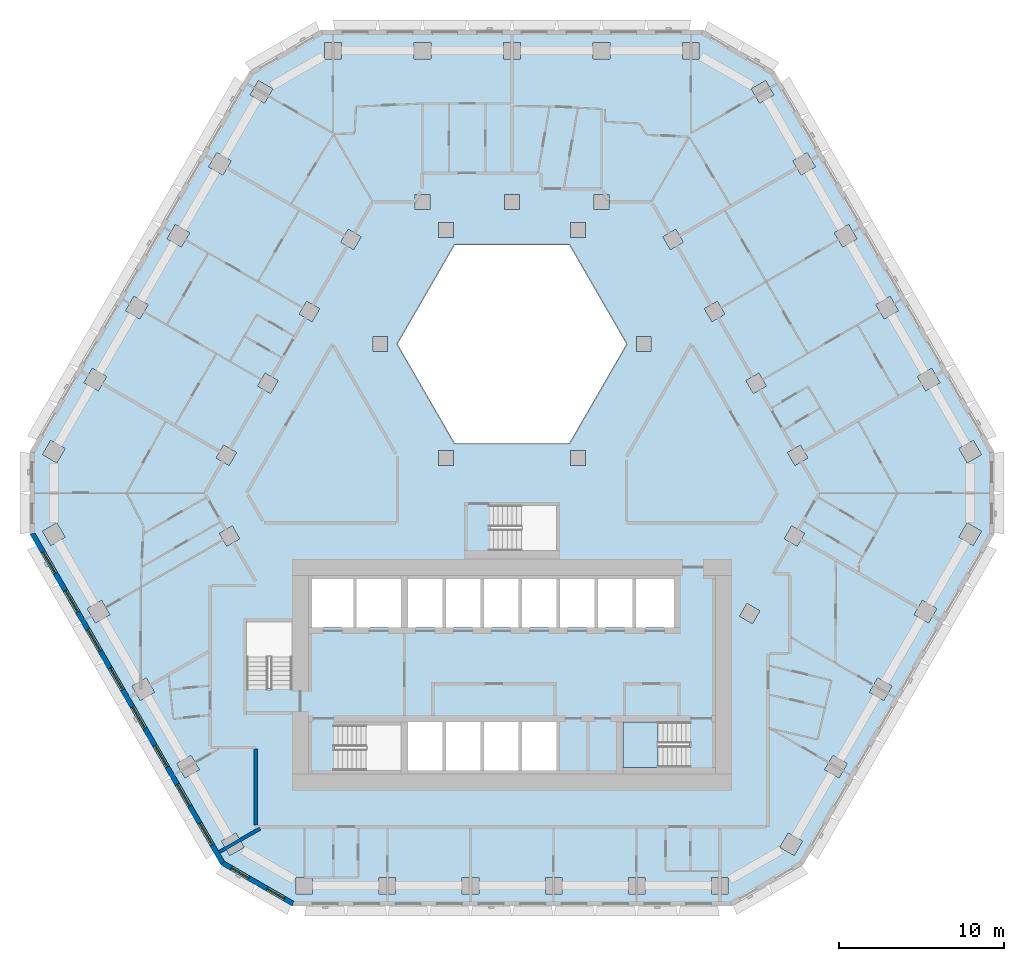
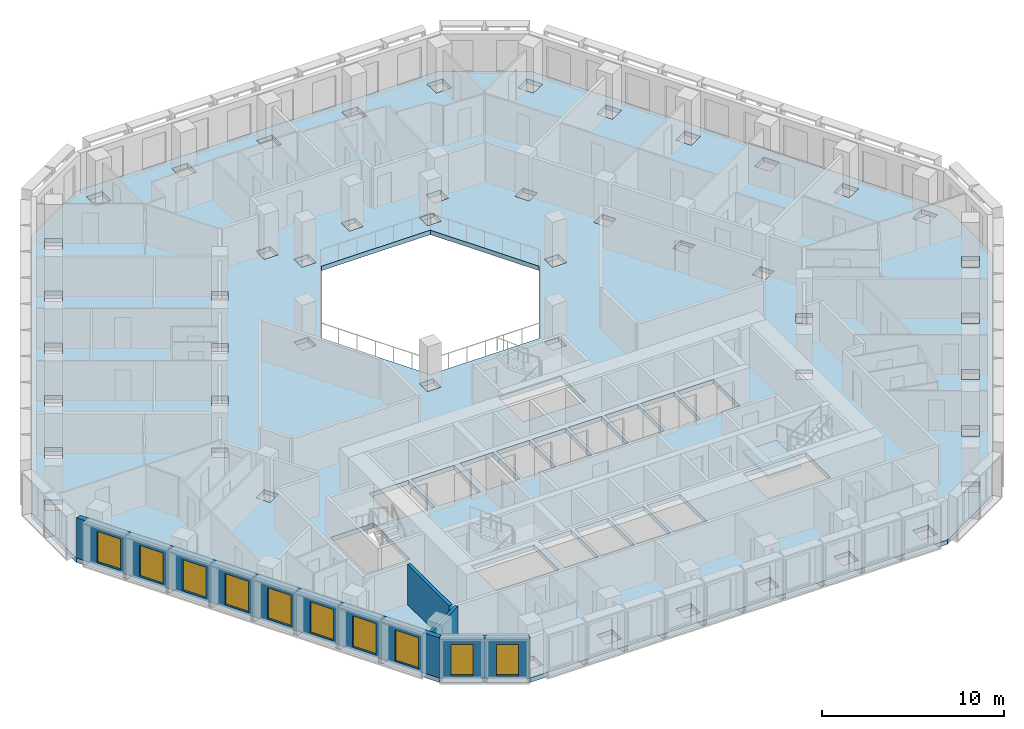
# One storey, part 2 of 18: 10 windows, 4 walls, 2 slabs, 10 openings, 1 element without a shape of its own.
"""IFC4 building model written with IfcOpenShell, lengths in metres."""

from ifc_helpers import new_model, si_unit, direction, frame, frame_2d, origin, place, context, subcontext, project, spatial, polyline, rectangle, outline, extrude, material, layer, layer_set, type_object, element, fill, aggregate, save


model = new_model("IFC4")

# Units and contexts
model_context = context("Model", 3, precision=1e-05, world=origin(), true_north=direction((0.0, 1.0)))
body_context = subcontext(model_context, "Body", "Model", "MODEL_VIEW")
ifc_project = project(units=[si_unit("LENGTHUNIT", "METRE"), si_unit("AREAUNIT", "SQUARE_METRE"), si_unit("VOLUMEUNIT", "CUBIC_METRE"), si_unit("PLANEANGLEUNIT", "RADIAN"), si_unit("MASSUNIT", "GRAM", prefix="KILO")], contexts=[model_context])

# Site, building, storey
site_placement = place(None, origin())
site = spatial("IfcSite", under=ifc_project, at=site_placement, CompositionType="ELEMENT")
building_placement = place(site_placement, origin())
building = spatial("IfcBuilding", under=site, at=building_placement, Name="Beryl Residences", CompositionType="ELEMENT")
storey_placement = place(building_placement, frame((0.0, 0.0, 81.0)))
storey = spatial("IfcBuildingStorey", under=building, at=storey_placement, Name="L24", CompositionType="ELEMENT", Elevation=81.0)

# Slab
ifc_material_1 = material(Name="Concrete C40/50", Category="concrete")
ifc_layer_1 = layer(ifc_material_1, 0.300048828125)
ifc_layer_set_1 = layer_set([ifc_layer_1], Name="SL7 PT floor slab 300 mm C40/50")
slab_type_1 = type_object("IfcSlabType", Name="SL7 PT floor slab 300 mm C40/50", PredefinedType="FLOOR", material=ifc_layer_set_1)
slab_1_placement = place(storey_placement, frame((0.0, 0.0, -0.300048828125)))
element("IfcSlab", 1, at=slab_1_placement, inside=storey, type_object=slab_type_1, Name="L24 slab 1", PredefinedType="FLOOR", context=body_context, shape_type="SweptSolid", body=[
    extrude(outline(polyline([(29.156982421875, -3.5), (17.60888671875, -23.5), (13.279052734375, -26.0), (-13.279052734375, -26.0), (-17.60888671875, -23.5), (-29.156982421875, -3.5), (-29.156982421875, 1.5), (-15.876953125, 24.5), (-11.547119140625, 27.0), (11.547119140625, 27.0), (15.876953125, 24.5), (29.156982421875, 1.5), (29.156982421875, -3.5)]), holes=[polyline([(28.39697265625, 1.31591796875), (27.89697265625, 2.181884765625), (27.031005859375, 1.681884765625), (27.531005859375, 0.81591796875), (28.39697265625, 1.31591796875)]), polyline([(28.39697265625, -3.31591796875), (27.531005859375, -2.81591796875), (27.031005859375, -3.681884765625), (27.89697265625, -4.181884765625), (28.39697265625, -3.31591796875)]), polyline([(25.385009765625, 6.532958984375), (24.51904296875, 6.032958984375), (25.01904296875, 5.1669921875), (25.885009765625, 5.6669921875), (25.385009765625, 6.532958984375)]), polyline([(25.68994140625, -8.00390625), (24.823974609375, -7.50390625), (24.323974609375, -8.3701171875), (25.18994140625, -8.8701171875), (25.68994140625, -8.00390625)]), polyline([(22.873046875, 10.883056640625), (22.007080078125, 10.383056640625), (22.507080078125, 9.51708984375), (23.373046875, 10.01708984375), (22.873046875, 10.883056640625)]), polyline([(22.116943359375, -12.19189453125), (21.616943359375, -13.05810546875), (22.48291015625, -13.55810546875), (22.98291015625, -12.69189453125), (22.116943359375, -12.19189453125)]), polyline([(20.362060546875, 15.23291015625), (19.49609375, 14.73291015625), (19.99609375, 13.866943359375), (20.862060546875, 14.366943359375), (20.362060546875, 15.23291015625)]), polyline([(19.777099609375, -18.24609375), (20.277099609375, -17.3798828125), (19.410888671875, -16.8798828125), (18.910888671875, -17.74609375), (19.777099609375, -18.24609375)]), polyline([(17.85009765625, 19.5830078125), (16.98388671875, 19.0830078125), (17.48388671875, 18.217041015625), (18.35009765625, 18.717041015625), (17.85009765625, 19.5830078125)]), polyline([(17.443115234375, 1.888916015625), (16.6630859375, 1.43896484375), (17.113037109375, 0.658935546875), (17.89306640625, 1.10888671875), (17.443115234375, 1.888916015625)]), polyline([(17.697998046875, -3.447021484375), (16.91796875, -2.9970703125), (16.468017578125, -3.777099609375), (17.248046875, -4.22705078125), (17.697998046875, -3.447021484375)]), polyline([(17.570068359375, -22.068115234375), (16.7041015625, -21.568115234375), (16.2041015625, -22.43408203125), (17.070068359375, -22.93408203125), (17.570068359375, -22.068115234375)]), polyline([(15.839111328125, 23.06689453125), (15.339111328125, 23.93310546875), (14.472900390625, 23.43310546875), (14.972900390625, 22.56689453125), (15.839111328125, 23.06689453125)]), polyline([(14.930908203125, 6.239990234375), (14.15087890625, 5.7900390625), (14.60107421875, 5.010009765625), (15.381103515625, 5.4599609375), (14.930908203125, 6.239990234375)]), polyline([(14.990966796875, -8.135009765625), (14.2109375, -7.68505859375), (13.760986328125, -8.465087890625), (14.541015625, -8.9150390625), (14.990966796875, -8.135009765625)]), polyline([(13.05810546875, -25.25), (13.05810546875, -24.25), (12.05810546875, -24.25), (12.05810546875, -25.25), (13.05810546875, -25.25)]), polyline([(12.419921875, 10.590087890625), (11.639892578125, 10.139892578125), (12.090087890625, 9.360107421875), (12.8701171875, 9.81005859375), (12.419921875, 10.590087890625)]), polyline([(11.324951171875, 26.25), (10.324951171875, 26.25), (10.324951171875, 25.25), (11.324951171875, 25.25), (11.324951171875, 26.25)]), polyline([(10.699951171875, -14.85009765625), (6.699951171875, -14.85009765625), (6.699951171875, -17.60009765625), (10.699951171875, -17.60009765625), (10.699951171875, -14.85009765625)]), polyline([(9.1279296875, 14.489990234375), (9.577880859375, 13.7099609375), (10.35791015625, 14.159912109375), (9.907958984375, 14.93994140625), (9.1279296875, 14.489990234375)]), polyline([(9.800048828125, -6.199951171875), (7.5, -6.199951171875), (7.5, -9.14990234375), (9.800048828125, -9.14990234375), (9.800048828125, -6.199951171875)]), polyline([(8.4169921875, 7.550048828125), (8.4169921875, 8.449951171875), (7.51708984375, 8.449951171875), (7.51708984375, 7.550048828125), (8.4169921875, 7.550048828125)]), polyline([(8.034912109375, -25.25), (8.034912109375, -24.25), (7.034912109375, -24.25), (7.034912109375, -25.25), (8.034912109375, -25.25)]), polyline([(5.199951171875, -6.199951171875), (5.199951171875, -9.14990234375), (7.300048828125, -9.14990234375), (7.300048828125, -6.199951171875), (5.199951171875, -6.199951171875)]), polyline([(3.464111328125, 14.0), (-3.464111328125, 14.0), (-6.92822265625, 8.0), (-3.464111328125, 2.0), (3.464111328125, 2.0), (6.92822265625, 8.0), (3.464111328125, 14.0)]), polyline([(4.912109375, 26.25), (4.912109375, 25.25), (5.912109375, 25.25), (5.912109375, 26.25), (4.912109375, 26.25)]), polyline([(4.9619140625, 17.050048828125), (4.9619140625, 16.14990234375), (5.862060546875, 16.14990234375), (5.862060546875, 17.050048828125), (4.9619140625, 17.050048828125)]), polyline([(2.89990234375, -9.14990234375), (5.0, -9.14990234375), (5.0, -6.199951171875), (2.89990234375, -6.199951171875), (2.89990234375, -9.14990234375)]), polyline([(4.43408203125, 14.449951171875), (4.43408203125, 15.35009765625), (3.533935546875, 15.35009765625), (3.533935546875, 14.449951171875), (4.43408203125, 14.449951171875)]), polyline([(4.43408203125, 0.64990234375), (4.43408203125, 1.550048828125), (3.533935546875, 1.550048828125), (3.533935546875, 0.64990234375), (4.43408203125, 0.64990234375)]), polyline([(2.011962890625, -25.25), (3.011962890625, -25.25), (3.011962890625, -24.25), (2.011962890625, -24.25), (2.011962890625, -25.25)]), polyline([(0.60009765625, -6.199951171875), (0.60009765625, -9.14990234375), (2.699951171875, -9.14990234375), (2.699951171875, -6.199951171875), (0.60009765625, -6.199951171875)]), polyline([(0.60009765625, -17.800048828125), (2.699951171875, -17.800048828125), (2.699951171875, -14.85009765625), (0.60009765625, -14.85009765625), (0.60009765625, -17.800048828125)]), polyline([(-1.300048828125, -1.75), (-1.300048828125, -4.5), (2.699951171875, -4.5), (2.699951171875, -1.75), (-1.300048828125, -1.75)]), polyline([(-0.5009765625, 25.25), (0.4990234375, 25.25), (0.4990234375, 26.25), (-0.5009765625, 26.25), (-0.5009765625, 25.25)]), polyline([(-0.450927734375, 17.050048828125), (-0.450927734375, 16.14990234375), (0.448974609375, 16.14990234375), (0.448974609375, 17.050048828125), (-0.450927734375, 17.050048828125)]), polyline([(-1.699951171875, -9.14990234375), (0.39990234375, -9.14990234375), (0.39990234375, -6.199951171875), (-1.699951171875, -6.199951171875), (-1.699951171875, -9.14990234375)]), polyline([(-1.699951171875, -17.800048828125), (0.39990234375, -17.800048828125), (0.39990234375, -14.85009765625), (-1.699951171875, -14.85009765625), (-1.699951171875, -17.800048828125)]), polyline([(-4.0, -9.14990234375), (-1.89990234375, -9.14990234375), (-1.89990234375, -6.199951171875), (-4.0, -6.199951171875), (-4.0, -9.14990234375)]), polyline([(-4.0, -17.800048828125), (-1.89990234375, -17.800048828125), (-1.89990234375, -14.85009765625), (-4.0, -14.85009765625), (-4.0, -17.800048828125)]), polyline([(-2.010986328125, -25.25), (-2.010986328125, -24.25), (-3.010986328125, -24.25), (-3.010986328125, -25.25), (-2.010986328125, -25.25)]), polyline([(-3.533935546875, 14.449951171875), (-3.533935546875, 15.35009765625), (-4.43408203125, 15.35009765625), (-4.43408203125, 14.449951171875), (-3.533935546875, 14.449951171875)]), polyline([(-3.533935546875, 0.64990234375), (-3.533935546875, 1.550048828125), (-4.43408203125, 1.550048828125), (-4.43408203125, 0.64990234375), (-3.533935546875, 0.64990234375)]), polyline([(-6.300048828125, -17.800048828125), (-4.199951171875, -17.800048828125), (-4.199951171875, -14.85009765625), (-6.300048828125, -14.85009765625), (-6.300048828125, -17.800048828125)]), polyline([(-6.300048828125, -9.14990234375), (-4.199951171875, -9.14990234375), (-4.199951171875, -6.199951171875), (-6.300048828125, -6.199951171875), (-6.300048828125, -9.14990234375)]), polyline([(-5.9140625, 26.25), (-5.9140625, 25.25), (-4.9140625, 25.25), (-4.9140625, 26.25), (-5.9140625, 26.25)]), polyline([(-5.864013671875, 16.14990234375), (-4.964111328125, 16.14990234375), (-4.964111328125, 17.050048828125), (-5.864013671875, 17.050048828125), (-5.864013671875, 16.14990234375)]), polyline([(-6.699951171875, -17.800048828125), (-6.699951171875, -15.050048828125), (-10.699951171875, -15.050048828125), (-10.699951171875, -17.800048828125), (-6.699951171875, -17.800048828125)]), polyline([(-9.39990234375, -9.14990234375), (-6.699951171875, -9.14990234375), (-6.699951171875, -6.199951171875), (-9.39990234375, -6.199951171875), (-9.39990234375, -9.14990234375)]), polyline([(-7.033935546875, -25.25), (-7.033935546875, -24.25), (-8.033935546875, -24.25), (-8.033935546875, -25.25), (-7.033935546875, -25.25)]), polyline([(-8.4169921875, 7.550048828125), (-7.51708984375, 7.550048828125), (-7.51708984375, 8.449951171875), (-8.4169921875, 8.449951171875), (-8.4169921875, 7.550048828125)]), polyline([(-9.577880859375, 13.7099609375), (-9.1279296875, 14.489990234375), (-9.907958984375, 14.93994140625), (-10.35791015625, 14.159912109375), (-9.577880859375, 13.7099609375)]), polyline([(-12.10009765625, -9.14990234375), (-9.60009765625, -9.14990234375), (-9.60009765625, -6.199951171875), (-12.10009765625, -6.199951171875), (-12.10009765625, -9.14990234375)]), polyline([(-11.326904296875, 26.25), (-11.326904296875, 25.25), (-10.326904296875, 25.25), (-10.326904296875, 26.25), (-11.326904296875, 26.25)]), polyline([(-12.868896484375, 9.81005859375), (-12.089111328125, 9.360107421875), (-11.638916015625, 10.139892578125), (-12.4189453125, 10.590087890625), (-12.868896484375, 9.81005859375)]), polyline([(-12.056884765625, -24.25), (-13.056884765625, -24.25), (-13.056884765625, -25.25), (-12.056884765625, -25.25), (-12.056884765625, -24.25)]), polyline([(-13.300048828125, -8.800048828125), (-16.050048828125, -8.800048828125), (-16.050048828125, -12.800048828125), (-13.300048828125, -12.800048828125), (-13.300048828125, -8.800048828125)]), polyline([(-15.381103515625, 5.4599609375), (-14.60107421875, 5.010009765625), (-14.15087890625, 5.7900390625), (-14.930908203125, 6.239990234375), (-15.381103515625, 5.4599609375)]), polyline([(-14.971923828125, 22.568115234375), (-14.471923828125, 23.43408203125), (-15.337890625, 23.93408203125), (-15.837890625, 23.068115234375), (-14.971923828125, 22.568115234375)]), polyline([(-17.070068359375, -22.93408203125), (-16.2041015625, -22.43408203125), (-16.7041015625, -21.568115234375), (-17.570068359375, -22.068115234375), (-17.070068359375, -22.93408203125)]), polyline([(-17.248046875, -4.22705078125), (-16.468017578125, -3.777099609375), (-16.91796875, -2.9970703125), (-17.697998046875, -3.447021484375), (-17.248046875, -4.22705078125)]), polyline([(-17.89208984375, 1.110107421875), (-17.112060546875, 0.659912109375), (-16.662109375, 1.43994140625), (-17.44189453125, 1.889892578125), (-17.89208984375, 1.110107421875)]), polyline([(-18.35009765625, 18.717041015625), (-17.48388671875, 18.217041015625), (-16.98388671875, 19.0830078125), (-17.85009765625, 19.5830078125), (-18.35009765625, 18.717041015625)]), polyline([(-19.777099609375, -18.24609375), (-18.910888671875, -17.74609375), (-19.410888671875, -16.8798828125), (-20.277099609375, -17.3798828125), (-19.777099609375, -18.24609375)]), polyline([(-20.861083984375, 14.366943359375), (-19.9951171875, 13.866943359375), (-19.4951171875, 14.73291015625), (-20.361083984375, 15.23291015625), (-20.861083984375, 14.366943359375)]), polyline([(-21.616943359375, -13.05810546875), (-22.116943359375, -12.19189453125), (-22.98291015625, -12.69189453125), (-22.48291015625, -13.55810546875), (-21.616943359375, -13.05810546875)]), polyline([(-23.373046875, 10.01708984375), (-22.507080078125, 9.51708984375), (-22.007080078125, 10.383056640625), (-22.873046875, 10.883056640625), (-23.373046875, 10.01708984375)]), polyline([(-25.18994140625, -8.8701171875), (-24.323974609375, -8.3701171875), (-24.823974609375, -7.50390625), (-25.68994140625, -8.00390625), (-25.18994140625, -8.8701171875)]), polyline([(-25.385009765625, 6.532958984375), (-25.885009765625, 5.6669921875), (-25.01904296875, 5.1669921875), (-24.51904296875, 6.032958984375), (-25.385009765625, 6.532958984375)]), polyline([(-28.39599609375, 1.31689453125), (-27.530029296875, 0.81689453125), (-27.030029296875, 1.68310546875), (-27.89599609375, 2.18310546875), (-28.39599609375, 1.31689453125)]), polyline([(-27.031005859375, -3.681884765625), (-27.531005859375, -2.81591796875), (-28.39697265625, -3.31591796875), (-27.89697265625, -4.181884765625), (-27.031005859375, -3.681884765625)])]), origin(), (0.0, 0.0, 1.0), 0.300048828125),
])

# Stair, slab
ifc_material_2 = material(Name="Concrete C40/50", Category="concrete")
stair_type = type_object("IfcStairType", Name="ST1 protected exit stair, half-turn, 1300 mm flights", PredefinedType="HALF_TURN_STAIR", material=ifc_material_2)
stair_placement = place(storey_placement, origin())
stair = element("IfcStair", 2, at=stair_placement, inside=storey, type_object=stair_type, Name="L24 PROTECTED EXIT STAIR ST-3", PredefinedType="HALF_TURN_STAIR")
ifc_material_3 = material(Name="Concrete C40/50", Category="concrete")
ifc_layer_2 = layer(ifc_material_3, 0.199951171875)
ifc_layer_set_2 = layer_set([ifc_layer_2], Name="SLD1 stair landing 200 mm")
slab_type_2 = type_object("IfcSlabType", Name="SLD1 stair landing 200 mm", PredefinedType="LANDING", material=ifc_layer_set_2)
slab_2_placement = place(storey_placement, frame((0.0, 0.0, 1.300048828125)))
slab_2 = element("IfcSlab", 3, at=slab_2_placement, type_object=slab_type_2, Name="ST-3 landing 1", PredefinedType="LANDING", context=body_context, shape_type="SweptSolid", body=[
    extrude(outline(polyline([(8.840087890625, -14.85009765625), (6.699951171875, -14.85009765625), (6.699951171875, -17.60009765625), (8.840087890625, -17.60009765625), (8.840087890625, -14.85009765625)])), origin(), (0.0, 0.0, 1.0), 0.199951171875),
])
aggregate(stair, [slab_2])

# Wall, openings, windows
ifc_material_4 = material(Name="Composite metal panel with mineral wool insulation")
ifc_layer_3 = layer(ifc_material_4, 0.300048828125)
ifc_layer_set_3 = layer_set([ifc_layer_3], Name="ES1 pale metal composite panel wall 300 mm")
wall_type_1 = type_object("IfcWallType", Name="ES1 pale metal composite panel wall 300 mm", PredefinedType="SOLIDWALL", material=ifc_layer_set_3)
wall_1_placement = place(storey_placement, frame((-29.027099609375, -3.425048828125, 0.0), z_axis=(0.0, 0.0, 1.0), x_axis=(0.500035407905, -0.866004960056, 0.0)))
wall_1 = element("IfcWall", 4, at=wall_1_placement, inside=storey, type_object=wall_type_1, Name="ES1 external wall L24 SW", PredefinedType="SOLIDWALL", context=body_context, shape_type="SweptSolid", body=[
    extrude(outline(polyline([(0.0, -0.14990234375), (23.094482421875, -0.14990234375), (23.01416015625, 0.14990234375), (0.080322265625, 0.14990234375), (0.0, -0.14990234375)])), origin(), (0.0, 0.0, 1.0), 2.699951171875),
])
opening_1_placement = place(wall_1_placement, frame((1.323974609375, 0.0, 0.14990234375)))
opening_1 = element("IfcOpeningElement", 5, at=opening_1_placement, cuts=wall_1, Name="Opening W1", PredefinedType="OPENING", context=body_context, shape_type="SweptSolid", body=[
    extrude(rectangle(XDim=1.5, YDim=2.10009765625, at=frame_2d((0.75, 1.050048828125))), frame((0.0, 0.159912109375, 0.0), z_axis=(0.0, -1.0, 0.0), x_axis=(1.0, 0.0, 0.0)), (0.0, 0.0, 1.0), 0.320068359375),
])
opening_2_placement = place(wall_1_placement, frame((4.031005859375, 0.0, 0.14990234375)))
opening_2 = element("IfcOpeningElement", 6, at=opening_2_placement, cuts=wall_1, Name="Opening W1", PredefinedType="OPENING", context=body_context, shape_type="SweptSolid", body=[
    extrude(rectangle(XDim=1.5, YDim=2.10009765625, at=frame_2d((0.75, 1.050048828125))), frame((0.0, 0.159912109375, 0.0), z_axis=(0.0, -1.0, 0.0), x_axis=(1.0, 0.0, 0.0)), (0.0, 0.0, 1.0), 0.320068359375),
])
opening_3_placement = place(wall_1_placement, frame((6.737060546875, 0.0, 0.14990234375)))
opening_3 = element("IfcOpeningElement", 7, at=opening_3_placement, cuts=wall_1, Name="Opening W1", PredefinedType="OPENING", context=body_context, shape_type="SweptSolid", body=[
    extrude(rectangle(XDim=1.5, YDim=2.10009765625, at=frame_2d((0.75, 1.050048828125))), frame((0.0, 0.159912109375, 0.0), z_axis=(0.0, -1.0, 0.0), x_axis=(1.0, 0.0, 0.0)), (0.0, 0.0, 1.0), 0.320068359375),
])
opening_4_placement = place(wall_1_placement, frame((9.444091796875, 0.0, 0.14990234375)))
opening_4 = element("IfcOpeningElement", 8, at=opening_4_placement, cuts=wall_1, Name="Opening W1", PredefinedType="OPENING", context=body_context, shape_type="SweptSolid", body=[
    extrude(rectangle(XDim=1.5, YDim=2.10009765625, at=frame_2d((0.75, 1.050048828125))), frame((0.0, 0.159912109375, 0.0), z_axis=(0.0, -1.0, 0.0), x_axis=(1.0, 0.0, 0.0)), (0.0, 0.0, 1.0), 0.320068359375),
])
opening_5_placement = place(wall_1_placement, frame((12.15087890625, 0.0, 0.14990234375)))
opening_5 = element("IfcOpeningElement", 9, at=opening_5_placement, cuts=wall_1, Name="Opening W1", PredefinedType="OPENING", context=body_context, shape_type="SweptSolid", body=[
    extrude(rectangle(XDim=1.5, YDim=2.10009765625, at=frame_2d((0.75, 1.050048828125))), frame((0.0, 0.159912109375, 0.0), z_axis=(0.0, -1.0, 0.0), x_axis=(1.0, 0.0, 0.0)), (0.0, 0.0, 1.0), 0.320068359375),
])
opening_6_placement = place(wall_1_placement, frame((14.85693359375, 0.0, 0.14990234375)))
opening_6 = element("IfcOpeningElement", 10, at=opening_6_placement, cuts=wall_1, Name="Opening W1", PredefinedType="OPENING", context=body_context, shape_type="SweptSolid", body=[
    extrude(rectangle(XDim=1.5, YDim=2.10009765625, at=frame_2d((0.75, 1.050048828125))), frame((0.0, 0.159912109375, 0.0), z_axis=(0.0, -1.0, 0.0), x_axis=(1.0, 0.0, 0.0)), (0.0, 0.0, 1.0), 0.320068359375),
])
opening_7_placement = place(wall_1_placement, frame((17.56396484375, 0.0, 0.14990234375)))
opening_7 = element("IfcOpeningElement", 11, at=opening_7_placement, cuts=wall_1, Name="Opening W1", PredefinedType="OPENING", context=body_context, shape_type="SweptSolid", body=[
    extrude(rectangle(XDim=1.5, YDim=2.10009765625, at=frame_2d((0.75, 1.050048828125))), frame((0.0, 0.159912109375, 0.0), z_axis=(0.0, -1.0, 0.0), x_axis=(1.0, 0.0, 0.0)), (0.0, 0.0, 1.0), 0.320068359375),
])
opening_8_placement = place(wall_1_placement, frame((20.27001953125, 0.0, 0.14990234375)))
opening_8 = element("IfcOpeningElement", 12, at=opening_8_placement, cuts=wall_1, Name="Opening W1", PredefinedType="OPENING", context=body_context, shape_type="SweptSolid", body=[
    extrude(rectangle(XDim=1.5, YDim=2.10009765625, at=frame_2d((0.75, 1.050048828125))), frame((0.0, 0.159912109375, 0.0), z_axis=(0.0, -1.0, 0.0), x_axis=(1.0, 0.0, 0.0)), (0.0, 0.0, 1.0), 0.320068359375),
])
ifc_material_5 = material(Name="Aluminium and clear glass", Category="aluminium")
window_type_1 = type_object("IfcWindowType", Name="W1 cell window 1500 x 2100 mm", PartitioningType="SINGLE_PANEL", PredefinedType="WINDOW", material=ifc_material_5)
window_1_placement = place(opening_1_placement, origin())
window_1 = element("IfcWindow", 13, at=window_1_placement, inside=storey, type_object=window_type_1, Name="W1 window L24 SW 1", OverallHeight=2.10009765625, OverallWidth=1.5, PartitioningType="SINGLE_PANEL", PredefinedType="WINDOW", context=body_context, shape_type="SweptSolid", body=[
    extrude(rectangle(XDim=1.5, YDim=2.10009765625, at=frame_2d((0.75, 1.050048828125))), frame((0.0, 0.030029296875, 0.0), z_axis=(0.0, -1.0, 0.0), x_axis=(1.0, 0.0, 0.0)), (0.0, 0.0, 1.0), 0.06005859375),
])
fill(opening_1, window_1)
window_2_placement = place(opening_2_placement, origin())
window_2 = element("IfcWindow", 14, at=window_2_placement, inside=storey, type_object=window_type_1, Name="W1 window L24 SW 2", OverallHeight=2.10009765625, OverallWidth=1.5, PartitioningType="SINGLE_PANEL", PredefinedType="WINDOW", context=body_context, shape_type="SweptSolid", body=[
    extrude(rectangle(XDim=1.5, YDim=2.10009765625, at=frame_2d((0.75, 1.050048828125))), frame((0.0, 0.030029296875, 0.0), z_axis=(0.0, -1.0, 0.0), x_axis=(1.0, 0.0, 0.0)), (0.0, 0.0, 1.0), 0.06005859375),
])
fill(opening_2, window_2)
window_3_placement = place(opening_3_placement, origin())
window_3 = element("IfcWindow", 15, at=window_3_placement, inside=storey, type_object=window_type_1, Name="W1 window L24 SW 3", OverallHeight=2.10009765625, OverallWidth=1.5, PartitioningType="SINGLE_PANEL", PredefinedType="WINDOW", context=body_context, shape_type="SweptSolid", body=[
    extrude(rectangle(XDim=1.5, YDim=2.10009765625, at=frame_2d((0.75, 1.050048828125))), frame((0.0, 0.030029296875, 0.0), z_axis=(0.0, -1.0, 0.0), x_axis=(1.0, 0.0, 0.0)), (0.0, 0.0, 1.0), 0.06005859375),
])
fill(opening_3, window_3)
window_4_placement = place(opening_4_placement, origin())
window_4 = element("IfcWindow", 16, at=window_4_placement, inside=storey, type_object=window_type_1, Name="W1 window L24 SW 4", OverallHeight=2.10009765625, OverallWidth=1.5, PartitioningType="SINGLE_PANEL", PredefinedType="WINDOW", context=body_context, shape_type="SweptSolid", body=[
    extrude(rectangle(XDim=1.5, YDim=2.10009765625, at=frame_2d((0.75, 1.050048828125))), frame((0.0, 0.030029296875, 0.0), z_axis=(0.0, -1.0, 0.0), x_axis=(1.0, 0.0, 0.0)), (0.0, 0.0, 1.0), 0.06005859375),
])
fill(opening_4, window_4)
window_5_placement = place(opening_5_placement, origin())
window_5 = element("IfcWindow", 17, at=window_5_placement, inside=storey, type_object=window_type_1, Name="W1 window L24 SW 5", OverallHeight=2.10009765625, OverallWidth=1.5, PartitioningType="SINGLE_PANEL", PredefinedType="WINDOW", context=body_context, shape_type="SweptSolid", body=[
    extrude(rectangle(XDim=1.5, YDim=2.10009765625, at=frame_2d((0.75, 1.050048828125))), frame((0.0, 0.030029296875, 0.0), z_axis=(0.0, -1.0, 0.0), x_axis=(1.0, 0.0, 0.0)), (0.0, 0.0, 1.0), 0.06005859375),
])
fill(opening_5, window_5)
window_6_placement = place(opening_6_placement, origin())
window_6 = element("IfcWindow", 18, at=window_6_placement, inside=storey, type_object=window_type_1, Name="W1 window L24 SW 6", OverallHeight=2.10009765625, OverallWidth=1.5, PartitioningType="SINGLE_PANEL", PredefinedType="WINDOW", context=body_context, shape_type="SweptSolid", body=[
    extrude(rectangle(XDim=1.5, YDim=2.10009765625, at=frame_2d((0.75, 1.050048828125))), frame((0.0, 0.030029296875, 0.0), z_axis=(0.0, -1.0, 0.0), x_axis=(1.0, 0.0, 0.0)), (0.0, 0.0, 1.0), 0.06005859375),
])
fill(opening_6, window_6)
window_7_placement = place(opening_7_placement, origin())
window_7 = element("IfcWindow", 19, at=window_7_placement, inside=storey, type_object=window_type_1, Name="W1 window L24 SW 7", OverallHeight=2.10009765625, OverallWidth=1.5, PartitioningType="SINGLE_PANEL", PredefinedType="WINDOW", context=body_context, shape_type="SweptSolid", body=[
    extrude(rectangle(XDim=1.5, YDim=2.10009765625, at=frame_2d((0.75, 1.050048828125))), frame((0.0, 0.030029296875, 0.0), z_axis=(0.0, -1.0, 0.0), x_axis=(1.0, 0.0, 0.0)), (0.0, 0.0, 1.0), 0.06005859375),
])
fill(opening_7, window_7)
window_8_placement = place(opening_8_placement, origin())
window_8 = element("IfcWindow", 20, at=window_8_placement, inside=storey, type_object=window_type_1, Name="W1 window L24 SW 8", OverallHeight=2.10009765625, OverallWidth=1.5, PartitioningType="SINGLE_PANEL", PredefinedType="WINDOW", context=body_context, shape_type="SweptSolid", body=[
    extrude(rectangle(XDim=1.5, YDim=2.10009765625, at=frame_2d((0.75, 1.050048828125))), frame((0.0, 0.030029296875, 0.0), z_axis=(0.0, -1.0, 0.0), x_axis=(1.0, 0.0, 0.0)), (0.0, 0.0, 1.0), 0.06005859375),
])
fill(opening_8, window_8)

wall_2_placement = place(storey_placement, frame((-17.533935546875, -23.3701171875, 0.0), z_axis=(0.0, 0.0, 1.0), x_axis=(0.866010750942, -0.50002537861, 0.0)))
wall_2 = element("IfcWall", 21, at=wall_2_placement, inside=storey, type_object=wall_type_1, Name="ES1 external wall L24 SW-S", PredefinedType="SOLIDWALL", context=body_context, shape_type="SweptSolid", body=[
    extrude(outline(polyline([(0.0, -0.14990234375), (4.999755859375, -0.14990234375), (4.91943359375, 0.14990234375), (0.080322265625, 0.14990234375), (0.0, -0.14990234375)])), origin(), (0.0, 0.0, 1.0), 2.699951171875),
])
opening_9_placement = place(wall_2_placement, frame((0.64990234375, 0.0, 0.14990234375)))
opening_9 = element("IfcOpeningElement", 22, at=opening_9_placement, cuts=wall_2, Name="Opening W2", PredefinedType="OPENING", context=body_context, shape_type="SweptSolid", body=[
    extrude(rectangle(XDim=1.199951171875, YDim=2.10009765625, at=frame_2d((0.60009765625, 1.050048828125))), frame((0.0, 0.159912109375, 0.0), z_axis=(0.0, -1.0, 0.0), x_axis=(1.0, 0.0, 0.0)), (0.0, 0.0, 1.0), 0.320068359375),
])
opening_10_placement = place(wall_2_placement, frame((3.14990234375, 0.0, 0.14990234375)))
opening_10 = element("IfcOpeningElement", 23, at=opening_10_placement, cuts=wall_2, Name="Opening W2", PredefinedType="OPENING", context=body_context, shape_type="SweptSolid", body=[
    extrude(rectangle(XDim=1.199951171875, YDim=2.10009765625, at=frame_2d((0.60009765625, 1.050048828125))), frame((0.0, 0.159912109375, 0.0), z_axis=(0.0, -1.0, 0.0), x_axis=(1.0, 0.0, 0.0)), (0.0, 0.0, 1.0), 0.320068359375),
])
ifc_material_6 = material(Name="Aluminium and clear glass", Category="aluminium")
window_type_2 = type_object("IfcWindowType", Name="W2 chamfer window 1200 x 2100 mm", PartitioningType="SINGLE_PANEL", PredefinedType="WINDOW", material=ifc_material_6)
window_9_placement = place(opening_9_placement, origin())
window_9 = element("IfcWindow", 24, at=window_9_placement, inside=storey, type_object=window_type_2, Name="W2 window L24 SW-S 1", OverallHeight=2.10009765625, OverallWidth=1.199951171875, PartitioningType="SINGLE_PANEL", PredefinedType="WINDOW", context=body_context, shape_type="SweptSolid", body=[
    extrude(rectangle(XDim=1.199951171875, YDim=2.10009765625, at=frame_2d((0.60009765625, 1.050048828125))), frame((0.0, 0.030029296875, 0.0), z_axis=(0.0, -1.0, 0.0), x_axis=(1.0, 0.0, 0.0)), (0.0, 0.0, 1.0), 0.06005859375),
])
fill(opening_9, window_9)
window_10_placement = place(opening_10_placement, origin())
window_10 = element("IfcWindow", 25, at=window_10_placement, inside=storey, type_object=window_type_2, Name="W2 window L24 SW-S 2", OverallHeight=2.10009765625, OverallWidth=1.199951171875, PartitioningType="SINGLE_PANEL", PredefinedType="WINDOW", context=body_context, shape_type="SweptSolid", body=[
    extrude(rectangle(XDim=1.199951171875, YDim=2.10009765625, at=frame_2d((0.60009765625, 1.050048828125))), frame((0.0, 0.030029296875, 0.0), z_axis=(0.0, -1.0, 0.0), x_axis=(1.0, 0.0, 0.0)), (0.0, 0.0, 1.0), 0.06005859375),
])
fill(opening_10, window_10)

# Walls
ifc_material_7 = material(Name="Acoustic double stud gypsum board wall")
ifc_layer_4 = layer(ifc_material_7, 0.199951171875)
ifc_layer_set_4 = layer_set([ifc_layer_4], Name="PT3 party wall 200 mm acoustic double stud")
wall_type_2 = type_object("IfcWallType", Name="PT3 party wall 200 mm acoustic double stud", PredefinedType="PARTITIONING", material=ifc_layer_set_4)
wall_3_placement = place(storey_placement, frame((-17.708984375, -22.72509765625, 0.0), z_axis=(0.0, 0.0, 1.0), x_axis=(0.866090043625, 0.499888023795, 0.0)))
element("IfcWall", 26, at=wall_3_placement, inside=storey, type_object=wall_type_2, Name="Wall PT3 L24 010", PredefinedType="PARTITIONING", context=body_context, shape_type="SweptSolid", body=[
    extrude(rectangle(XDim=2.850830078125, YDim=0.199951171875, at=frame_2d((1.42529296875, 0.0))), origin(), (0.0, 0.0, 1.0), 2.699951171875),
])
ifc_material_8 = material(Name="Double stud gypsum board wall")
ifc_layer_5 = layer(ifc_material_8, 0.199951171875)
ifc_layer_set_5 = layer_set([ifc_layer_5], Name="PT4 corridor wall 200 mm double stud")
wall_type_3 = type_object("IfcWallType", Name="PT4 corridor wall 200 mm double stud", PredefinedType="PARTITIONING", material=ifc_layer_set_5)
wall_4_placement = place(storey_placement, frame((-15.5, -16.5009765625, 0.0), z_axis=(0.0, 0.0, 1.0), x_axis=(0.0, -1.0, 0.0)))
element("IfcWall", 27, at=wall_4_placement, inside=storey, type_object=wall_type_3, Name="Wall PT4 L24 007", PredefinedType="PARTITIONING", context=body_context, shape_type="SweptSolid", body=[
    extrude(rectangle(XDim=4.59814453125, YDim=0.199951171875, at=frame_2d((2.299072265625, 0.0))), origin(), (0.0, 0.0, 1.0), 2.699951171875),
])

save(model, "model.ifc")
